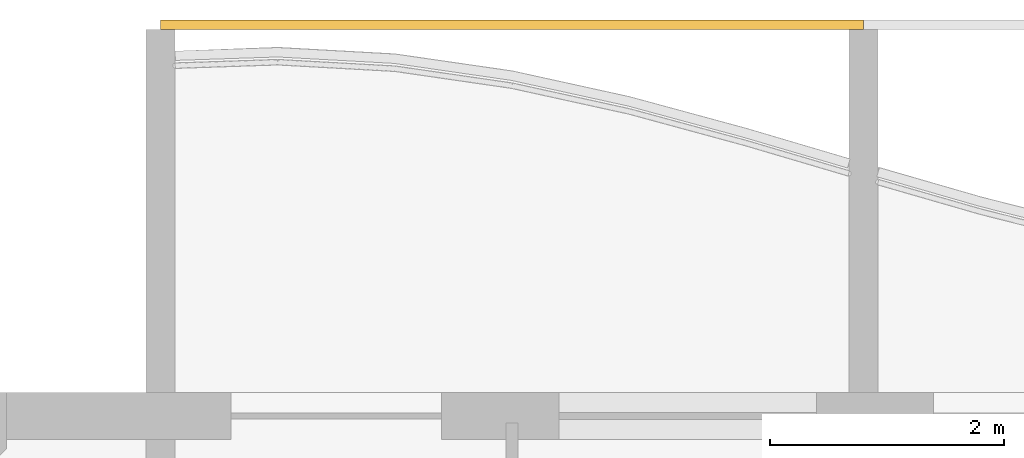
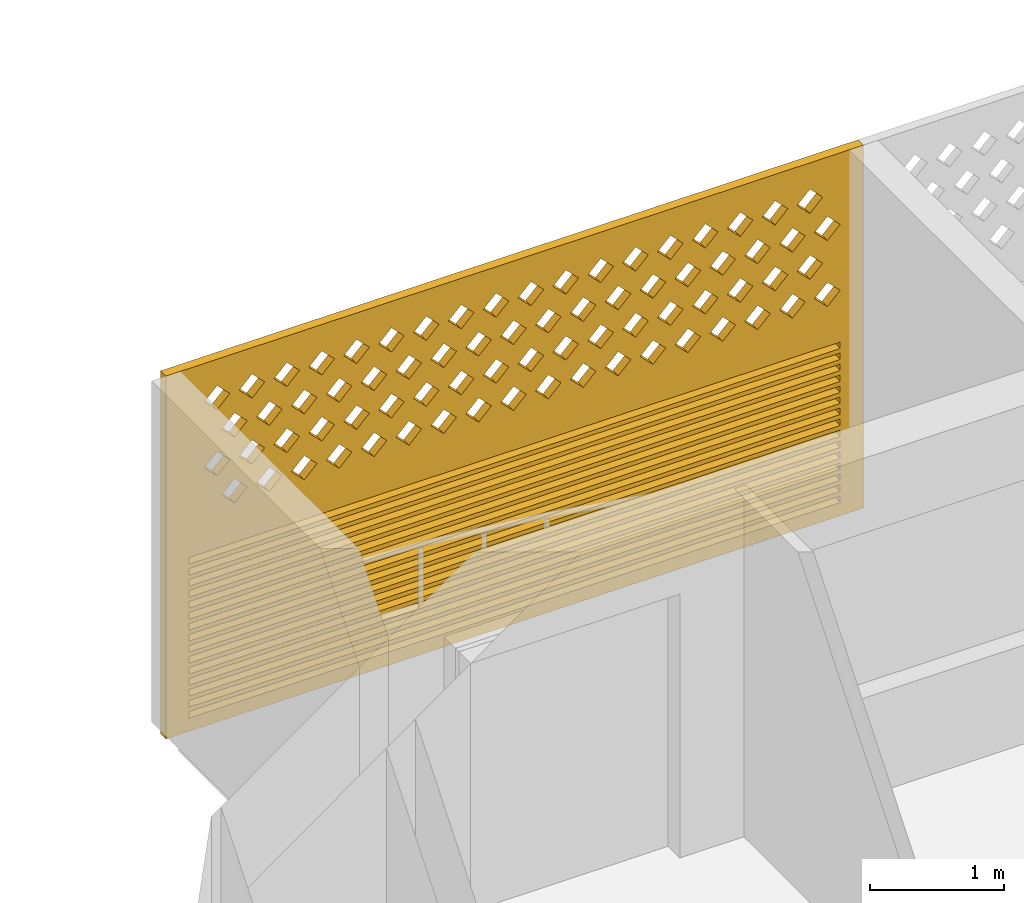
# One storey, part 17 of 27: 1 covering.
"""IFC4 building model written with IfcOpenShell, lengths in metres."""

from ifc_helpers import new_model, si_unit, direction, frame, origin, place, context, subcontext, project, spatial, polyline, outline, extrude, source, transform, mapped, material, material_profile, profile_set, type_object, element, save


model = new_model("IFC4")

# Units and contexts
model_context = context("Model", 3, precision=1e-05, world=origin(), true_north=direction((0.0, 1.0)))
body_context = subcontext(model_context, "Body", "Model", "MODEL_VIEW")
ifc_project = project(units=[si_unit("LENGTHUNIT", "METRE"), si_unit("AREAUNIT", "SQUARE_METRE"), si_unit("VOLUMEUNIT", "CUBIC_METRE"), si_unit("PLANEANGLEUNIT", "RADIAN"), si_unit("MASSUNIT", "GRAM", prefix="KILO")], contexts=[model_context])

# Site, building, storey
site_placement = place(None, origin())
site = spatial("IfcSite", under=ifc_project, at=site_placement, CompositionType="ELEMENT")
building_placement = place(site_placement, origin())
building = spatial("IfcBuilding", under=site, at=building_placement, Name="Poui Terraces", CompositionType="ELEMENT")
storey_placement = place(building_placement, frame((0.0, 0.0, 195.0)))
storey = spatial("IfcBuildingStorey", under=building, at=storey_placement, Name="L54", CompositionType="ELEMENT", Elevation=195.0)

# Covering
ifc_material = material(Name="Terracotta screen", Category="masonry")
ifc_material_profile = material_profile(ifc_material, outline(polyline([(-3.0, -1.64990234375), (3.0, -1.64990234375), (3.0, 1.64990234375), (-3.0, 1.64990234375), (-3.0, -1.64990234375)]), holes=[polyline([(-2.800048828125, 0.39990234375), (-2.68994140625, 0.2900390625), (-2.580078125, 0.39990234375), (-2.68994140625, 0.510009765625), (-2.800048828125, 0.39990234375)]), polyline([(-2.5, 0.39990234375), (-2.389892578125, 0.2900390625), (-2.280029296875, 0.39990234375), (-2.389892578125, 0.510009765625), (-2.5, 0.39990234375)]), polyline([(-2.199951171875, 0.39990234375), (-2.090087890625, 0.2900390625), (-1.97998046875, 0.39990234375), (-2.090087890625, 0.510009765625), (-2.199951171875, 0.39990234375)]), polyline([(-1.89990234375, 0.39990234375), (-1.7900390625, 0.2900390625), (-1.679931640625, 0.39990234375), (-1.7900390625, 0.510009765625), (-1.89990234375, 0.39990234375)]), polyline([(-1.60009765625, 0.39990234375), (-1.489990234375, 0.2900390625), (-1.3798828125, 0.39990234375), (-1.489990234375, 0.510009765625), (-1.60009765625, 0.39990234375)]), polyline([(-1.300048828125, 0.39990234375), (-1.18994140625, 0.2900390625), (-1.080078125, 0.39990234375), (-1.18994140625, 0.510009765625), (-1.300048828125, 0.39990234375)]), polyline([(-1.0, 0.39990234375), (-0.889892578125, 0.2900390625), (-0.780029296875, 0.39990234375), (-0.889892578125, 0.510009765625), (-1.0, 0.39990234375)]), polyline([(-0.699951171875, 0.39990234375), (-0.590087890625, 0.2900390625), (-0.47998046875, 0.39990234375), (-0.590087890625, 0.510009765625), (-0.699951171875, 0.39990234375)]), polyline([(-0.39990234375, 0.39990234375), (-0.2900390625, 0.2900390625), (-0.179931640625, 0.39990234375), (-0.2900390625, 0.510009765625), (-0.39990234375, 0.39990234375)]), polyline([(-0.10009765625, 0.39990234375), (0.010009765625, 0.2900390625), (0.1201171875, 0.39990234375), (0.010009765625, 0.510009765625), (-0.10009765625, 0.39990234375)]), polyline([(0.199951171875, 0.39990234375), (0.31005859375, 0.2900390625), (0.419921875, 0.39990234375), (0.31005859375, 0.510009765625), (0.199951171875, 0.39990234375)]), polyline([(0.5, 0.39990234375), (0.610107421875, 0.2900390625), (0.719970703125, 0.39990234375), (0.610107421875, 0.510009765625), (0.5, 0.39990234375)]), polyline([(0.800048828125, 0.39990234375), (0.909912109375, 0.2900390625), (1.02001953125, 0.39990234375), (0.909912109375, 0.510009765625), (0.800048828125, 0.39990234375)]), polyline([(1.10009765625, 0.39990234375), (1.2099609375, 0.2900390625), (1.320068359375, 0.39990234375), (1.2099609375, 0.510009765625), (1.10009765625, 0.39990234375)]), polyline([(1.39990234375, 0.39990234375), (1.510009765625, 0.2900390625), (1.6201171875, 0.39990234375), (1.510009765625, 0.510009765625), (1.39990234375, 0.39990234375)]), polyline([(1.699951171875, 0.39990234375), (1.81005859375, 0.2900390625), (1.919921875, 0.39990234375), (1.81005859375, 0.510009765625), (1.699951171875, 0.39990234375)]), polyline([(2.0, 0.39990234375), (2.110107421875, 0.2900390625), (2.219970703125, 0.39990234375), (2.110107421875, 0.510009765625), (2.0, 0.39990234375)]), polyline([(2.300048828125, 0.39990234375), (2.409912109375, 0.2900390625), (2.52001953125, 0.39990234375), (2.409912109375, 0.510009765625), (2.300048828125, 0.39990234375)]), polyline([(-2.64990234375, 0.699951171875), (-2.5400390625, 0.590087890625), (-2.429931640625, 0.699951171875), (-2.5400390625, 0.81005859375), (-2.64990234375, 0.699951171875)]), polyline([(-2.35009765625, 0.699951171875), (-2.239990234375, 0.590087890625), (-2.1298828125, 0.699951171875), (-2.239990234375, 0.81005859375), (-2.35009765625, 0.699951171875)]), polyline([(-2.050048828125, 0.699951171875), (-1.93994140625, 0.590087890625), (-1.830078125, 0.699951171875), (-1.93994140625, 0.81005859375), (-2.050048828125, 0.699951171875)]), polyline([(-1.75, 0.699951171875), (-1.639892578125, 0.590087890625), (-1.530029296875, 0.699951171875), (-1.639892578125, 0.81005859375), (-1.75, 0.699951171875)]), polyline([(-1.449951171875, 0.699951171875), (-1.340087890625, 0.590087890625), (-1.22998046875, 0.699951171875), (-1.340087890625, 0.81005859375), (-1.449951171875, 0.699951171875)]), polyline([(-1.14990234375, 0.699951171875), (-1.0400390625, 0.590087890625), (-0.929931640625, 0.699951171875), (-1.0400390625, 0.81005859375), (-1.14990234375, 0.699951171875)]), polyline([(-0.85009765625, 0.699951171875), (-0.739990234375, 0.590087890625), (-0.6298828125, 0.699951171875), (-0.739990234375, 0.81005859375), (-0.85009765625, 0.699951171875)]), polyline([(-0.550048828125, 0.699951171875), (-0.43994140625, 0.590087890625), (-0.330078125, 0.699951171875), (-0.43994140625, 0.81005859375), (-0.550048828125, 0.699951171875)]), polyline([(-0.25, 0.699951171875), (-0.139892578125, 0.590087890625), (-0.030029296875, 0.699951171875), (-0.139892578125, 0.81005859375), (-0.25, 0.699951171875)]), polyline([(0.050048828125, 0.699951171875), (0.159912109375, 0.590087890625), (0.27001953125, 0.699951171875), (0.159912109375, 0.81005859375), (0.050048828125, 0.699951171875)]), polyline([(0.35009765625, 0.699951171875), (0.4599609375, 0.590087890625), (0.570068359375, 0.699951171875), (0.4599609375, 0.81005859375), (0.35009765625, 0.699951171875)]), polyline([(0.64990234375, 0.699951171875), (0.760009765625, 0.590087890625), (0.8701171875, 0.699951171875), (0.760009765625, 0.81005859375), (0.64990234375, 0.699951171875)]), polyline([(0.949951171875, 0.699951171875), (1.06005859375, 0.590087890625), (1.169921875, 0.699951171875), (1.06005859375, 0.81005859375), (0.949951171875, 0.699951171875)]), polyline([(1.25, 0.699951171875), (1.360107421875, 0.590087890625), (1.469970703125, 0.699951171875), (1.360107421875, 0.81005859375), (1.25, 0.699951171875)]), polyline([(1.550048828125, 0.699951171875), (1.659912109375, 0.590087890625), (1.77001953125, 0.699951171875), (1.659912109375, 0.81005859375), (1.550048828125, 0.699951171875)]), polyline([(1.85009765625, 0.699951171875), (1.9599609375, 0.590087890625), (2.070068359375, 0.699951171875), (1.9599609375, 0.81005859375), (1.85009765625, 0.699951171875)]), polyline([(2.14990234375, 0.699951171875), (2.260009765625, 0.590087890625), (2.3701171875, 0.699951171875), (2.260009765625, 0.81005859375), (2.14990234375, 0.699951171875)]), polyline([(2.449951171875, 0.699951171875), (2.56005859375, 0.590087890625), (2.669921875, 0.699951171875), (2.56005859375, 0.81005859375), (2.449951171875, 0.699951171875)]), polyline([(-2.800048828125, 1.0), (-2.68994140625, 0.889892578125), (-2.580078125, 1.0), (-2.68994140625, 1.110107421875), (-2.800048828125, 1.0)]), polyline([(-2.5, 1.0), (-2.389892578125, 0.889892578125), (-2.280029296875, 1.0), (-2.389892578125, 1.110107421875), (-2.5, 1.0)]), polyline([(-2.199951171875, 1.0), (-2.090087890625, 0.889892578125), (-1.97998046875, 1.0), (-2.090087890625, 1.110107421875), (-2.199951171875, 1.0)]), polyline([(-1.89990234375, 1.0), (-1.7900390625, 0.889892578125), (-1.679931640625, 1.0), (-1.7900390625, 1.110107421875), (-1.89990234375, 1.0)]), polyline([(-1.60009765625, 1.0), (-1.489990234375, 0.889892578125), (-1.3798828125, 1.0), (-1.489990234375, 1.110107421875), (-1.60009765625, 1.0)]), polyline([(-1.300048828125, 1.0), (-1.18994140625, 0.889892578125), (-1.080078125, 1.0), (-1.18994140625, 1.110107421875), (-1.300048828125, 1.0)]), polyline([(-1.0, 1.0), (-0.889892578125, 0.889892578125), (-0.780029296875, 1.0), (-0.889892578125, 1.110107421875), (-1.0, 1.0)]), polyline([(-0.699951171875, 1.0), (-0.590087890625, 0.889892578125), (-0.47998046875, 1.0), (-0.590087890625, 1.110107421875), (-0.699951171875, 1.0)]), polyline([(-0.39990234375, 1.0), (-0.2900390625, 0.889892578125), (-0.179931640625, 1.0), (-0.2900390625, 1.110107421875), (-0.39990234375, 1.0)]), polyline([(-0.10009765625, 1.0), (0.010009765625, 0.889892578125), (0.1201171875, 1.0), (0.010009765625, 1.110107421875), (-0.10009765625, 1.0)]), polyline([(0.199951171875, 1.0), (0.31005859375, 0.889892578125), (0.419921875, 1.0), (0.31005859375, 1.110107421875), (0.199951171875, 1.0)]), polyline([(0.5, 1.0), (0.610107421875, 0.889892578125), (0.719970703125, 1.0), (0.610107421875, 1.110107421875), (0.5, 1.0)]), polyline([(0.800048828125, 1.0), (0.909912109375, 0.889892578125), (1.02001953125, 1.0), (0.909912109375, 1.110107421875), (0.800048828125, 1.0)]), polyline([(1.10009765625, 1.0), (1.2099609375, 0.889892578125), (1.320068359375, 1.0), (1.2099609375, 1.110107421875), (1.10009765625, 1.0)]), polyline([(1.39990234375, 1.0), (1.510009765625, 0.889892578125), (1.6201171875, 1.0), (1.510009765625, 1.110107421875), (1.39990234375, 1.0)]), polyline([(1.699951171875, 1.0), (1.81005859375, 0.889892578125), (1.919921875, 1.0), (1.81005859375, 1.110107421875), (1.699951171875, 1.0)]), polyline([(2.0, 1.0), (2.110107421875, 0.889892578125), (2.219970703125, 1.0), (2.110107421875, 1.110107421875), (2.0, 1.0)]), polyline([(2.300048828125, 1.0), (2.409912109375, 0.889892578125), (2.52001953125, 1.0), (2.409912109375, 1.110107421875), (2.300048828125, 1.0)]), polyline([(-2.64990234375, 1.300048828125), (-2.5400390625, 1.18994140625), (-2.429931640625, 1.300048828125), (-2.5400390625, 1.409912109375), (-2.64990234375, 1.300048828125)]), polyline([(-2.35009765625, 1.300048828125), (-2.239990234375, 1.18994140625), (-2.1298828125, 1.300048828125), (-2.239990234375, 1.409912109375), (-2.35009765625, 1.300048828125)]), polyline([(-2.050048828125, 1.300048828125), (-1.93994140625, 1.18994140625), (-1.830078125, 1.300048828125), (-1.93994140625, 1.409912109375), (-2.050048828125, 1.300048828125)]), polyline([(-1.75, 1.300048828125), (-1.639892578125, 1.18994140625), (-1.530029296875, 1.300048828125), (-1.639892578125, 1.409912109375), (-1.75, 1.300048828125)]), polyline([(-1.449951171875, 1.300048828125), (-1.340087890625, 1.18994140625), (-1.22998046875, 1.300048828125), (-1.340087890625, 1.409912109375), (-1.449951171875, 1.300048828125)]), polyline([(-1.14990234375, 1.300048828125), (-1.0400390625, 1.18994140625), (-0.929931640625, 1.300048828125), (-1.0400390625, 1.409912109375), (-1.14990234375, 1.300048828125)]), polyline([(-0.85009765625, 1.300048828125), (-0.739990234375, 1.18994140625), (-0.6298828125, 1.300048828125), (-0.739990234375, 1.409912109375), (-0.85009765625, 1.300048828125)]), polyline([(-0.550048828125, 1.300048828125), (-0.43994140625, 1.18994140625), (-0.330078125, 1.300048828125), (-0.43994140625, 1.409912109375), (-0.550048828125, 1.300048828125)]), polyline([(-0.25, 1.300048828125), (-0.139892578125, 1.18994140625), (-0.030029296875, 1.300048828125), (-0.139892578125, 1.409912109375), (-0.25, 1.300048828125)]), polyline([(0.050048828125, 1.300048828125), (0.159912109375, 1.18994140625), (0.27001953125, 1.300048828125), (0.159912109375, 1.409912109375), (0.050048828125, 1.300048828125)]), polyline([(0.35009765625, 1.300048828125), (0.4599609375, 1.18994140625), (0.570068359375, 1.300048828125), (0.4599609375, 1.409912109375), (0.35009765625, 1.300048828125)]), polyline([(0.64990234375, 1.300048828125), (0.760009765625, 1.18994140625), (0.8701171875, 1.300048828125), (0.760009765625, 1.409912109375), (0.64990234375, 1.300048828125)]), polyline([(0.949951171875, 1.300048828125), (1.06005859375, 1.18994140625), (1.169921875, 1.300048828125), (1.06005859375, 1.409912109375), (0.949951171875, 1.300048828125)]), polyline([(1.25, 1.300048828125), (1.360107421875, 1.18994140625), (1.469970703125, 1.300048828125), (1.360107421875, 1.409912109375), (1.25, 1.300048828125)]), polyline([(1.550048828125, 1.300048828125), (1.659912109375, 1.18994140625), (1.77001953125, 1.300048828125), (1.659912109375, 1.409912109375), (1.550048828125, 1.300048828125)]), polyline([(1.85009765625, 1.300048828125), (1.9599609375, 1.18994140625), (2.070068359375, 1.300048828125), (1.9599609375, 1.409912109375), (1.85009765625, 1.300048828125)]), polyline([(2.14990234375, 1.300048828125), (2.260009765625, 1.18994140625), (2.3701171875, 1.300048828125), (2.260009765625, 1.409912109375), (2.14990234375, 1.300048828125)]), polyline([(2.449951171875, 1.300048828125), (2.56005859375, 1.18994140625), (2.669921875, 1.300048828125), (2.56005859375, 1.409912109375), (2.449951171875, 1.300048828125)]), polyline([(-2.800048828125, -1.530029296875), (2.800048828125, -1.530029296875), (2.800048828125, -1.469970703125), (-2.800048828125, -1.469970703125), (-2.800048828125, -1.530029296875)]), polyline([(-2.800048828125, -1.429931640625), (2.800048828125, -1.429931640625), (2.800048828125, -1.3701171875), (-2.800048828125, -1.3701171875), (-2.800048828125, -1.429931640625)]), polyline([(-2.800048828125, -1.330078125), (2.800048828125, -1.330078125), (2.800048828125, -1.27001953125), (-2.800048828125, -1.27001953125), (-2.800048828125, -1.330078125)]), polyline([(-2.800048828125, -1.22998046875), (2.800048828125, -1.22998046875), (2.800048828125, -1.169921875), (-2.800048828125, -1.169921875), (-2.800048828125, -1.22998046875)]), polyline([(-2.800048828125, -1.1298828125), (2.800048828125, -1.1298828125), (2.800048828125, -1.070068359375), (-2.800048828125, -1.070068359375), (-2.800048828125, -1.1298828125)]), polyline([(-2.800048828125, -1.030029296875), (2.800048828125, -1.030029296875), (2.800048828125, -0.969970703125), (-2.800048828125, -0.969970703125), (-2.800048828125, -1.030029296875)]), polyline([(-2.800048828125, -0.929931640625), (2.800048828125, -0.929931640625), (2.800048828125, -0.8701171875), (-2.800048828125, -0.8701171875), (-2.800048828125, -0.929931640625)]), polyline([(-2.800048828125, -0.830078125), (2.800048828125, -0.830078125), (2.800048828125, -0.77001953125), (-2.800048828125, -0.77001953125), (-2.800048828125, -0.830078125)]), polyline([(-2.800048828125, -0.72998046875), (2.800048828125, -0.72998046875), (2.800048828125, -0.669921875), (-2.800048828125, -0.669921875), (-2.800048828125, -0.72998046875)]), polyline([(-2.800048828125, -0.6298828125), (2.800048828125, -0.6298828125), (2.800048828125, -0.570068359375), (-2.800048828125, -0.570068359375), (-2.800048828125, -0.6298828125)]), polyline([(-2.800048828125, -0.530029296875), (2.800048828125, -0.530029296875), (2.800048828125, -0.469970703125), (-2.800048828125, -0.469970703125), (-2.800048828125, -0.530029296875)]), polyline([(-2.800048828125, -0.429931640625), (2.800048828125, -0.429931640625), (2.800048828125, -0.3701171875), (-2.800048828125, -0.3701171875), (-2.800048828125, -0.429931640625)]), polyline([(-2.800048828125, -0.330078125), (2.800048828125, -0.330078125), (2.800048828125, -0.27001953125), (-2.800048828125, -0.27001953125), (-2.800048828125, -0.330078125)]), polyline([(-2.800048828125, -0.22998046875), (2.800048828125, -0.22998046875), (2.800048828125, -0.169921875), (-2.800048828125, -0.169921875), (-2.800048828125, -0.22998046875)]), polyline([(-2.800048828125, -0.1298828125), (2.800048828125, -0.1298828125), (2.800048828125, -0.070068359375), (-2.800048828125, -0.070068359375), (-2.800048828125, -0.1298828125)])]), Name="TERRACOTTA SCREEN AND JALOUSIE LOUVRE 6000X3300")
ifc_profile_set = profile_set([ifc_material_profile], Name="Terracotta screen")
covering_type = type_object("IfcCoveringType", Name="TERRACOTTA SCREEN AND JALOUSIE LOUVRE 6000X3300", PredefinedType="CLADDING", material=ifc_profile_set)
shared_shape = source(origin(), body_context, "Body", "SweptSolid", [
    extrude(outline(polyline([(-3.0, -1.64990234375), (3.0, -1.64990234375), (3.0, 1.64990234375), (-3.0, 1.64990234375), (-3.0, -1.64990234375)]), holes=[polyline([(-2.800048828125, 0.39990234375), (-2.68994140625, 0.2900390625), (-2.580078125, 0.39990234375), (-2.68994140625, 0.510009765625), (-2.800048828125, 0.39990234375)]), polyline([(-2.5, 0.39990234375), (-2.389892578125, 0.2900390625), (-2.280029296875, 0.39990234375), (-2.389892578125, 0.510009765625), (-2.5, 0.39990234375)]), polyline([(-2.199951171875, 0.39990234375), (-2.090087890625, 0.2900390625), (-1.97998046875, 0.39990234375), (-2.090087890625, 0.510009765625), (-2.199951171875, 0.39990234375)]), polyline([(-1.89990234375, 0.39990234375), (-1.7900390625, 0.2900390625), (-1.679931640625, 0.39990234375), (-1.7900390625, 0.510009765625), (-1.89990234375, 0.39990234375)]), polyline([(-1.60009765625, 0.39990234375), (-1.489990234375, 0.2900390625), (-1.3798828125, 0.39990234375), (-1.489990234375, 0.510009765625), (-1.60009765625, 0.39990234375)]), polyline([(-1.300048828125, 0.39990234375), (-1.18994140625, 0.2900390625), (-1.080078125, 0.39990234375), (-1.18994140625, 0.510009765625), (-1.300048828125, 0.39990234375)]), polyline([(-1.0, 0.39990234375), (-0.889892578125, 0.2900390625), (-0.780029296875, 0.39990234375), (-0.889892578125, 0.510009765625), (-1.0, 0.39990234375)]), polyline([(-0.699951171875, 0.39990234375), (-0.590087890625, 0.2900390625), (-0.47998046875, 0.39990234375), (-0.590087890625, 0.510009765625), (-0.699951171875, 0.39990234375)]), polyline([(-0.39990234375, 0.39990234375), (-0.2900390625, 0.2900390625), (-0.179931640625, 0.39990234375), (-0.2900390625, 0.510009765625), (-0.39990234375, 0.39990234375)]), polyline([(-0.10009765625, 0.39990234375), (0.010009765625, 0.2900390625), (0.1201171875, 0.39990234375), (0.010009765625, 0.510009765625), (-0.10009765625, 0.39990234375)]), polyline([(0.199951171875, 0.39990234375), (0.31005859375, 0.2900390625), (0.419921875, 0.39990234375), (0.31005859375, 0.510009765625), (0.199951171875, 0.39990234375)]), polyline([(0.5, 0.39990234375), (0.610107421875, 0.2900390625), (0.719970703125, 0.39990234375), (0.610107421875, 0.510009765625), (0.5, 0.39990234375)]), polyline([(0.800048828125, 0.39990234375), (0.909912109375, 0.2900390625), (1.02001953125, 0.39990234375), (0.909912109375, 0.510009765625), (0.800048828125, 0.39990234375)]), polyline([(1.10009765625, 0.39990234375), (1.2099609375, 0.2900390625), (1.320068359375, 0.39990234375), (1.2099609375, 0.510009765625), (1.10009765625, 0.39990234375)]), polyline([(1.39990234375, 0.39990234375), (1.510009765625, 0.2900390625), (1.6201171875, 0.39990234375), (1.510009765625, 0.510009765625), (1.39990234375, 0.39990234375)]), polyline([(1.699951171875, 0.39990234375), (1.81005859375, 0.2900390625), (1.919921875, 0.39990234375), (1.81005859375, 0.510009765625), (1.699951171875, 0.39990234375)]), polyline([(2.0, 0.39990234375), (2.110107421875, 0.2900390625), (2.219970703125, 0.39990234375), (2.110107421875, 0.510009765625), (2.0, 0.39990234375)]), polyline([(2.300048828125, 0.39990234375), (2.409912109375, 0.2900390625), (2.52001953125, 0.39990234375), (2.409912109375, 0.510009765625), (2.300048828125, 0.39990234375)]), polyline([(-2.64990234375, 0.699951171875), (-2.5400390625, 0.590087890625), (-2.429931640625, 0.699951171875), (-2.5400390625, 0.81005859375), (-2.64990234375, 0.699951171875)]), polyline([(-2.35009765625, 0.699951171875), (-2.239990234375, 0.590087890625), (-2.1298828125, 0.699951171875), (-2.239990234375, 0.81005859375), (-2.35009765625, 0.699951171875)]), polyline([(-2.050048828125, 0.699951171875), (-1.93994140625, 0.590087890625), (-1.830078125, 0.699951171875), (-1.93994140625, 0.81005859375), (-2.050048828125, 0.699951171875)]), polyline([(-1.75, 0.699951171875), (-1.639892578125, 0.590087890625), (-1.530029296875, 0.699951171875), (-1.639892578125, 0.81005859375), (-1.75, 0.699951171875)]), polyline([(-1.449951171875, 0.699951171875), (-1.340087890625, 0.590087890625), (-1.22998046875, 0.699951171875), (-1.340087890625, 0.81005859375), (-1.449951171875, 0.699951171875)]), polyline([(-1.14990234375, 0.699951171875), (-1.0400390625, 0.590087890625), (-0.929931640625, 0.699951171875), (-1.0400390625, 0.81005859375), (-1.14990234375, 0.699951171875)]), polyline([(-0.85009765625, 0.699951171875), (-0.739990234375, 0.590087890625), (-0.6298828125, 0.699951171875), (-0.739990234375, 0.81005859375), (-0.85009765625, 0.699951171875)]), polyline([(-0.550048828125, 0.699951171875), (-0.43994140625, 0.590087890625), (-0.330078125, 0.699951171875), (-0.43994140625, 0.81005859375), (-0.550048828125, 0.699951171875)]), polyline([(-0.25, 0.699951171875), (-0.139892578125, 0.590087890625), (-0.030029296875, 0.699951171875), (-0.139892578125, 0.81005859375), (-0.25, 0.699951171875)]), polyline([(0.050048828125, 0.699951171875), (0.159912109375, 0.590087890625), (0.27001953125, 0.699951171875), (0.159912109375, 0.81005859375), (0.050048828125, 0.699951171875)]), polyline([(0.35009765625, 0.699951171875), (0.4599609375, 0.590087890625), (0.570068359375, 0.699951171875), (0.4599609375, 0.81005859375), (0.35009765625, 0.699951171875)]), polyline([(0.64990234375, 0.699951171875), (0.760009765625, 0.590087890625), (0.8701171875, 0.699951171875), (0.760009765625, 0.81005859375), (0.64990234375, 0.699951171875)]), polyline([(0.949951171875, 0.699951171875), (1.06005859375, 0.590087890625), (1.169921875, 0.699951171875), (1.06005859375, 0.81005859375), (0.949951171875, 0.699951171875)]), polyline([(1.25, 0.699951171875), (1.360107421875, 0.590087890625), (1.469970703125, 0.699951171875), (1.360107421875, 0.81005859375), (1.25, 0.699951171875)]), polyline([(1.550048828125, 0.699951171875), (1.659912109375, 0.590087890625), (1.77001953125, 0.699951171875), (1.659912109375, 0.81005859375), (1.550048828125, 0.699951171875)]), polyline([(1.85009765625, 0.699951171875), (1.9599609375, 0.590087890625), (2.070068359375, 0.699951171875), (1.9599609375, 0.81005859375), (1.85009765625, 0.699951171875)]), polyline([(2.14990234375, 0.699951171875), (2.260009765625, 0.590087890625), (2.3701171875, 0.699951171875), (2.260009765625, 0.81005859375), (2.14990234375, 0.699951171875)]), polyline([(2.449951171875, 0.699951171875), (2.56005859375, 0.590087890625), (2.669921875, 0.699951171875), (2.56005859375, 0.81005859375), (2.449951171875, 0.699951171875)]), polyline([(-2.800048828125, 1.0), (-2.68994140625, 0.889892578125), (-2.580078125, 1.0), (-2.68994140625, 1.110107421875), (-2.800048828125, 1.0)]), polyline([(-2.5, 1.0), (-2.389892578125, 0.889892578125), (-2.280029296875, 1.0), (-2.389892578125, 1.110107421875), (-2.5, 1.0)]), polyline([(-2.199951171875, 1.0), (-2.090087890625, 0.889892578125), (-1.97998046875, 1.0), (-2.090087890625, 1.110107421875), (-2.199951171875, 1.0)]), polyline([(-1.89990234375, 1.0), (-1.7900390625, 0.889892578125), (-1.679931640625, 1.0), (-1.7900390625, 1.110107421875), (-1.89990234375, 1.0)]), polyline([(-1.60009765625, 1.0), (-1.489990234375, 0.889892578125), (-1.3798828125, 1.0), (-1.489990234375, 1.110107421875), (-1.60009765625, 1.0)]), polyline([(-1.300048828125, 1.0), (-1.18994140625, 0.889892578125), (-1.080078125, 1.0), (-1.18994140625, 1.110107421875), (-1.300048828125, 1.0)]), polyline([(-1.0, 1.0), (-0.889892578125, 0.889892578125), (-0.780029296875, 1.0), (-0.889892578125, 1.110107421875), (-1.0, 1.0)]), polyline([(-0.699951171875, 1.0), (-0.590087890625, 0.889892578125), (-0.47998046875, 1.0), (-0.590087890625, 1.110107421875), (-0.699951171875, 1.0)]), polyline([(-0.39990234375, 1.0), (-0.2900390625, 0.889892578125), (-0.179931640625, 1.0), (-0.2900390625, 1.110107421875), (-0.39990234375, 1.0)]), polyline([(-0.10009765625, 1.0), (0.010009765625, 0.889892578125), (0.1201171875, 1.0), (0.010009765625, 1.110107421875), (-0.10009765625, 1.0)]), polyline([(0.199951171875, 1.0), (0.31005859375, 0.889892578125), (0.419921875, 1.0), (0.31005859375, 1.110107421875), (0.199951171875, 1.0)]), polyline([(0.5, 1.0), (0.610107421875, 0.889892578125), (0.719970703125, 1.0), (0.610107421875, 1.110107421875), (0.5, 1.0)]), polyline([(0.800048828125, 1.0), (0.909912109375, 0.889892578125), (1.02001953125, 1.0), (0.909912109375, 1.110107421875), (0.800048828125, 1.0)]), polyline([(1.10009765625, 1.0), (1.2099609375, 0.889892578125), (1.320068359375, 1.0), (1.2099609375, 1.110107421875), (1.10009765625, 1.0)]), polyline([(1.39990234375, 1.0), (1.510009765625, 0.889892578125), (1.6201171875, 1.0), (1.510009765625, 1.110107421875), (1.39990234375, 1.0)]), polyline([(1.699951171875, 1.0), (1.81005859375, 0.889892578125), (1.919921875, 1.0), (1.81005859375, 1.110107421875), (1.699951171875, 1.0)]), polyline([(2.0, 1.0), (2.110107421875, 0.889892578125), (2.219970703125, 1.0), (2.110107421875, 1.110107421875), (2.0, 1.0)]), polyline([(2.300048828125, 1.0), (2.409912109375, 0.889892578125), (2.52001953125, 1.0), (2.409912109375, 1.110107421875), (2.300048828125, 1.0)]), polyline([(-2.64990234375, 1.300048828125), (-2.5400390625, 1.18994140625), (-2.429931640625, 1.300048828125), (-2.5400390625, 1.409912109375), (-2.64990234375, 1.300048828125)]), polyline([(-2.35009765625, 1.300048828125), (-2.239990234375, 1.18994140625), (-2.1298828125, 1.300048828125), (-2.239990234375, 1.409912109375), (-2.35009765625, 1.300048828125)]), polyline([(-2.050048828125, 1.300048828125), (-1.93994140625, 1.18994140625), (-1.830078125, 1.300048828125), (-1.93994140625, 1.409912109375), (-2.050048828125, 1.300048828125)]), polyline([(-1.75, 1.300048828125), (-1.639892578125, 1.18994140625), (-1.530029296875, 1.300048828125), (-1.639892578125, 1.409912109375), (-1.75, 1.300048828125)]), polyline([(-1.449951171875, 1.300048828125), (-1.340087890625, 1.18994140625), (-1.22998046875, 1.300048828125), (-1.340087890625, 1.409912109375), (-1.449951171875, 1.300048828125)]), polyline([(-1.14990234375, 1.300048828125), (-1.0400390625, 1.18994140625), (-0.929931640625, 1.300048828125), (-1.0400390625, 1.409912109375), (-1.14990234375, 1.300048828125)]), polyline([(-0.85009765625, 1.300048828125), (-0.739990234375, 1.18994140625), (-0.6298828125, 1.300048828125), (-0.739990234375, 1.409912109375), (-0.85009765625, 1.300048828125)]), polyline([(-0.550048828125, 1.300048828125), (-0.43994140625, 1.18994140625), (-0.330078125, 1.300048828125), (-0.43994140625, 1.409912109375), (-0.550048828125, 1.300048828125)]), polyline([(-0.25, 1.300048828125), (-0.139892578125, 1.18994140625), (-0.030029296875, 1.300048828125), (-0.139892578125, 1.409912109375), (-0.25, 1.300048828125)]), polyline([(0.050048828125, 1.300048828125), (0.159912109375, 1.18994140625), (0.27001953125, 1.300048828125), (0.159912109375, 1.409912109375), (0.050048828125, 1.300048828125)]), polyline([(0.35009765625, 1.300048828125), (0.4599609375, 1.18994140625), (0.570068359375, 1.300048828125), (0.4599609375, 1.409912109375), (0.35009765625, 1.300048828125)]), polyline([(0.64990234375, 1.300048828125), (0.760009765625, 1.18994140625), (0.8701171875, 1.300048828125), (0.760009765625, 1.409912109375), (0.64990234375, 1.300048828125)]), polyline([(0.949951171875, 1.300048828125), (1.06005859375, 1.18994140625), (1.169921875, 1.300048828125), (1.06005859375, 1.409912109375), (0.949951171875, 1.300048828125)]), polyline([(1.25, 1.300048828125), (1.360107421875, 1.18994140625), (1.469970703125, 1.300048828125), (1.360107421875, 1.409912109375), (1.25, 1.300048828125)]), polyline([(1.550048828125, 1.300048828125), (1.659912109375, 1.18994140625), (1.77001953125, 1.300048828125), (1.659912109375, 1.409912109375), (1.550048828125, 1.300048828125)]), polyline([(1.85009765625, 1.300048828125), (1.9599609375, 1.18994140625), (2.070068359375, 1.300048828125), (1.9599609375, 1.409912109375), (1.85009765625, 1.300048828125)]), polyline([(2.14990234375, 1.300048828125), (2.260009765625, 1.18994140625), (2.3701171875, 1.300048828125), (2.260009765625, 1.409912109375), (2.14990234375, 1.300048828125)]), polyline([(2.449951171875, 1.300048828125), (2.56005859375, 1.18994140625), (2.669921875, 1.300048828125), (2.56005859375, 1.409912109375), (2.449951171875, 1.300048828125)]), polyline([(-2.800048828125, -1.530029296875), (2.800048828125, -1.530029296875), (2.800048828125, -1.469970703125), (-2.800048828125, -1.469970703125), (-2.800048828125, -1.530029296875)]), polyline([(-2.800048828125, -1.429931640625), (2.800048828125, -1.429931640625), (2.800048828125, -1.3701171875), (-2.800048828125, -1.3701171875), (-2.800048828125, -1.429931640625)]), polyline([(-2.800048828125, -1.330078125), (2.800048828125, -1.330078125), (2.800048828125, -1.27001953125), (-2.800048828125, -1.27001953125), (-2.800048828125, -1.330078125)]), polyline([(-2.800048828125, -1.22998046875), (2.800048828125, -1.22998046875), (2.800048828125, -1.169921875), (-2.800048828125, -1.169921875), (-2.800048828125, -1.22998046875)]), polyline([(-2.800048828125, -1.1298828125), (2.800048828125, -1.1298828125), (2.800048828125, -1.070068359375), (-2.800048828125, -1.070068359375), (-2.800048828125, -1.1298828125)]), polyline([(-2.800048828125, -1.030029296875), (2.800048828125, -1.030029296875), (2.800048828125, -0.969970703125), (-2.800048828125, -0.969970703125), (-2.800048828125, -1.030029296875)]), polyline([(-2.800048828125, -0.929931640625), (2.800048828125, -0.929931640625), (2.800048828125, -0.8701171875), (-2.800048828125, -0.8701171875), (-2.800048828125, -0.929931640625)]), polyline([(-2.800048828125, -0.830078125), (2.800048828125, -0.830078125), (2.800048828125, -0.77001953125), (-2.800048828125, -0.77001953125), (-2.800048828125, -0.830078125)]), polyline([(-2.800048828125, -0.72998046875), (2.800048828125, -0.72998046875), (2.800048828125, -0.669921875), (-2.800048828125, -0.669921875), (-2.800048828125, -0.72998046875)]), polyline([(-2.800048828125, -0.6298828125), (2.800048828125, -0.6298828125), (2.800048828125, -0.570068359375), (-2.800048828125, -0.570068359375), (-2.800048828125, -0.6298828125)]), polyline([(-2.800048828125, -0.530029296875), (2.800048828125, -0.530029296875), (2.800048828125, -0.469970703125), (-2.800048828125, -0.469970703125), (-2.800048828125, -0.530029296875)]), polyline([(-2.800048828125, -0.429931640625), (2.800048828125, -0.429931640625), (2.800048828125, -0.3701171875), (-2.800048828125, -0.3701171875), (-2.800048828125, -0.429931640625)]), polyline([(-2.800048828125, -0.330078125), (2.800048828125, -0.330078125), (2.800048828125, -0.27001953125), (-2.800048828125, -0.27001953125), (-2.800048828125, -0.330078125)]), polyline([(-2.800048828125, -0.22998046875), (2.800048828125, -0.22998046875), (2.800048828125, -0.169921875), (-2.800048828125, -0.169921875), (-2.800048828125, -0.22998046875)]), polyline([(-2.800048828125, -0.1298828125), (2.800048828125, -0.1298828125), (2.800048828125, -0.070068359375), (-2.800048828125, -0.070068359375), (-2.800048828125, -0.1298828125)])]), origin(), (0.0, 0.0, 1.0), 0.080078125),
])
covering_placement = place(storey_placement, frame((27.0, 44.5, 1.449951171875), z_axis=(0.0, 1.0, 0.0), x_axis=(-1.0, 0.0, 0.0)))
element("IfcCovering", 1, at=covering_placement, inside=storey, type_object=covering_type, Name="SOLAR SCREEN AND JALOUSIE LOUVRE", PredefinedType="CLADDING", context=body_context, shape_type="MappedRepresentation", body=[
    mapped(shared_shape, transform((0.0, 0.0, 0.0))),
])

save(model, "model.ifc")
